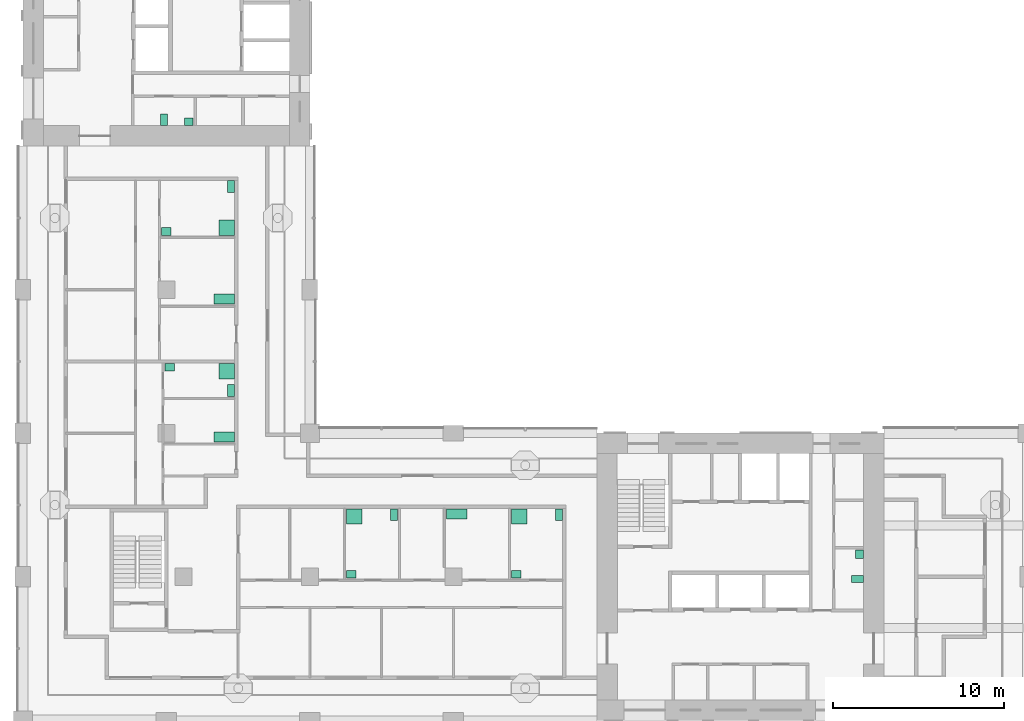
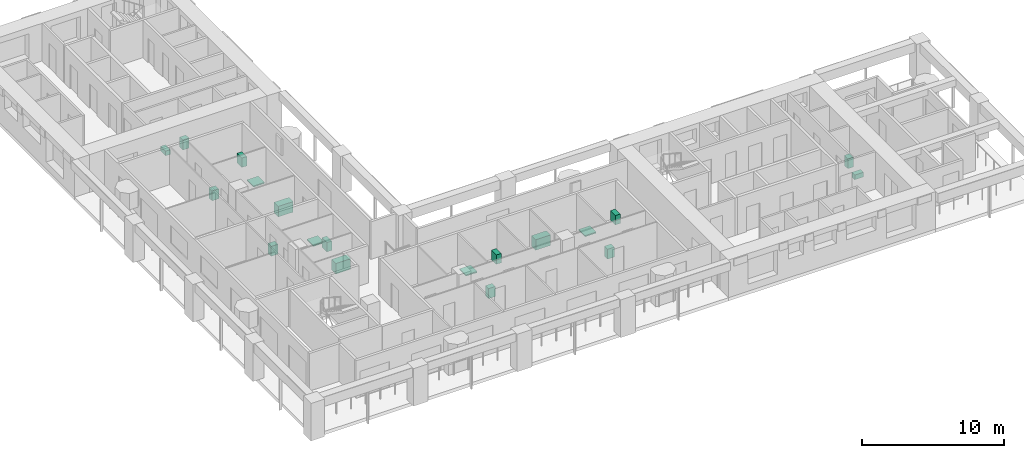
# One storey, part 11 of 13: 19 sanitary terminals.
"""IFC4 building model written with IfcOpenShell, lengths in metres."""

from ifc_helpers import new_model, si_unit, direction, frame, origin, origin_2d, place, context, subcontext, project, spatial, rectangle, extrude, material, element, save


model = new_model("IFC4")

# Units and contexts
model_context = context("Model", 3, precision=1e-05, world=origin(), true_north=direction((0.0, 1.0)))
body_context = subcontext(model_context, "Body", "Model", "MODEL_VIEW")
ifc_project = project(units=[si_unit("LENGTHUNIT", "METRE"), si_unit("AREAUNIT", "SQUARE_METRE"), si_unit("VOLUMEUNIT", "CUBIC_METRE"), si_unit("PLANEANGLEUNIT", "RADIAN"), si_unit("MASSUNIT", "GRAM", prefix="KILO")], contexts=[model_context])

# Site, building, storey
site_placement = place(None, origin())
site = spatial("IfcSite", under=ifc_project, at=site_placement, CompositionType="ELEMENT")
building_placement = place(site_placement, origin())
building = spatial("IfcBuilding", under=site, at=building_placement, Name="Vermilion Gate Residences", CompositionType="ELEMENT")
storey_placement = place(building_placement, frame((0.0, 0.0, 147.699951171875)))
storey = spatial("IfcBuildingStorey", under=building, at=storey_placement, Name="L37", CompositionType="ELEMENT", Elevation=147.699951171875)

# Sanitary terminals
ifc_material_1 = material(Name="Vitreous china")
sanitary_terminal_1_placement = place(storey_placement, frame((57.25, 16.659912109375, 0.0), z_axis=(0.0, 0.0, 1.0), x_axis=(1.0, 0.0, 0.0)))
element("IfcSanitaryTerminal", 1, at=sanitary_terminal_1_placement, inside=storey, material=ifc_material_1, Name="Toilet pan A37", PredefinedType="TOILETPAN", context=body_context, shape_type="SweptSolid", body=[
    extrude(rectangle(XDim=0.699951171875, YDim=0.39990234375, at=origin_2d()), origin(), (0.0, 0.0, 1.0), 0.39990234375),
])
sanitary_terminal_2_placement = place(storey_placement, frame((57.375, 18.1201171875, 0.0), z_axis=(0.0, 0.0, 1.0), x_axis=(1.0, 0.0, 0.0)))
element("IfcSanitaryTerminal", 2, at=sanitary_terminal_2_placement, inside=storey, material=ifc_material_1, Name="Washbasin A37", PredefinedType="WASHHANDBASIN", context=body_context, shape_type="SweptSolid", body=[
    extrude(rectangle(XDim=0.449951171875, YDim=0.5, at=origin_2d()), origin(), (0.0, 0.0, 1.0), 0.85009765625),
])
sanitary_terminal_3_placement = place(storey_placement, frame((16.659912109375, 43.550048828125, 0.0), z_axis=(0.0, 0.0, 1.0), x_axis=(1.0, 0.0, 0.0)))
element("IfcSanitaryTerminal", 3, at=sanitary_terminal_3_placement, inside=storey, material=ifc_material_1, Name="Toilet pan B37", PredefinedType="TOILETPAN", context=body_context, shape_type="SweptSolid", body=[
    extrude(rectangle(XDim=0.39990234375, YDim=0.699951171875, at=origin_2d()), origin(), (0.0, 0.0, 1.0), 0.39990234375),
])
sanitary_terminal_4_placement = place(storey_placement, frame((18.1201171875, 43.425048828125, 0.0), z_axis=(0.0, 0.0, 1.0), x_axis=(1.0, 0.0, 0.0)))
element("IfcSanitaryTerminal", 4, at=sanitary_terminal_4_placement, inside=storey, material=ifc_material_1, Name="Washbasin B37", PredefinedType="WASHHANDBASIN", context=body_context, shape_type="SweptSolid", body=[
    extrude(rectangle(XDim=0.5, YDim=0.449951171875, at=origin_2d()), origin(), (0.0, 0.0, 1.0), 0.85009765625),
])
sanitary_terminal_5_placement = place(storey_placement, frame((27.802978515625, 20.330078125, 0.0), z_axis=(0.0, 0.0, 1.0), x_axis=(1.0, 0.0, 0.0)))
element("IfcSanitaryTerminal", 5, at=sanitary_terminal_5_placement, inside=storey, material=ifc_material_1, Name="Shower tray", PredefinedType="SHOWER", context=body_context, shape_type="SweptSolid", body=[
    extrude(rectangle(XDim=0.89990234375, YDim=0.89990234375, at=origin_2d()), origin(), (0.0, 0.0, 1.0), 0.10009765625),
])
sanitary_terminal_6_placement = place(storey_placement, frame((30.1298828125, 20.429931640625, 0.0), z_axis=(0.0, 0.0, 1.0), x_axis=(1.0, 0.0, 0.0)))
element("IfcSanitaryTerminal", 6, at=sanitary_terminal_6_placement, inside=storey, material=ifc_material_1, Name="Toilet", PredefinedType="TOILETPAN", context=body_context, shape_type="SweptSolid", body=[
    extrude(rectangle(XDim=0.39990234375, YDim=0.699951171875, at=origin_2d()), origin(), (0.0, 0.0, 1.0), 0.800048828125),
])
sanitary_terminal_7_placement = place(storey_placement, frame((27.6279296875, 16.945068359375, 0.0), z_axis=(0.0, 0.0, 1.0), x_axis=(1.0, 0.0, 0.0)))
element("IfcSanitaryTerminal", 7, at=sanitary_terminal_7_placement, inside=storey, material=ifc_material_1, Name="Wash basin", PredefinedType="WASHHANDBASIN", context=body_context, shape_type="SweptSolid", body=[
    extrude(rectangle(XDim=0.550048828125, YDim=0.449951171875, at=origin_2d()), origin(), (0.0, 0.0, 1.0), 0.85009765625),
])
ifc_material_2 = material(Name="Stainless steel", Category="steel")
sanitary_terminal_8_placement = place(storey_placement, frame((33.787109375, 20.47998046875, 0.0), z_axis=(0.0, 0.0, 1.0), x_axis=(1.0, 0.0, 0.0)))
element("IfcSanitaryTerminal", 8, at=sanitary_terminal_8_placement, inside=storey, material=ifc_material_2, Name="Kitchen sink", PredefinedType="SINK", context=body_context, shape_type="SweptSolid", body=[
    extrude(rectangle(XDim=1.199951171875, YDim=0.60009765625, at=origin_2d()), origin(), (0.0, 0.0, 1.0), 0.89990234375),
])
sanitary_terminal_9_placement = place(storey_placement, frame((37.4541015625, 20.330078125, 0.0), z_axis=(0.0, 0.0, 1.0), x_axis=(1.0, 0.0, 0.0)))
element("IfcSanitaryTerminal", 9, at=sanitary_terminal_9_placement, inside=storey, material=ifc_material_1, Name="Shower tray", PredefinedType="SHOWER", context=body_context, shape_type="SweptSolid", body=[
    extrude(rectangle(XDim=0.89990234375, YDim=0.89990234375, at=origin_2d()), origin(), (0.0, 0.0, 1.0), 0.10009765625),
])
sanitary_terminal_10_placement = place(storey_placement, frame((39.780029296875, 20.429931640625, 0.0), z_axis=(0.0, 0.0, 1.0), x_axis=(1.0, 0.0, 0.0)))
element("IfcSanitaryTerminal", 10, at=sanitary_terminal_10_placement, inside=storey, material=ifc_material_1, Name="Toilet", PredefinedType="TOILETPAN", context=body_context, shape_type="SweptSolid", body=[
    extrude(rectangle(XDim=0.39990234375, YDim=0.699951171875, at=origin_2d()), origin(), (0.0, 0.0, 1.0), 0.800048828125),
])
sanitary_terminal_11_placement = place(storey_placement, frame((37.279052734375, 16.945068359375, 0.0), z_axis=(0.0, 0.0, 1.0), x_axis=(1.0, 0.0, 0.0)))
element("IfcSanitaryTerminal", 11, at=sanitary_terminal_11_placement, inside=storey, material=ifc_material_1, Name="Wash basin", PredefinedType="WASHHANDBASIN", context=body_context, shape_type="SweptSolid", body=[
    extrude(rectangle(XDim=0.550048828125, YDim=0.449951171875, at=origin_2d()), origin(), (0.0, 0.0, 1.0), 0.85009765625),
])
sanitary_terminal_12_placement = place(storey_placement, frame((20.179931640625, 24.98291015625, 0.0), z_axis=(0.0, 0.0, 1.0), x_axis=(1.0, 0.0, 0.0)))
element("IfcSanitaryTerminal", 12, at=sanitary_terminal_12_placement, inside=storey, material=ifc_material_2, Name="Kitchen sink", PredefinedType="SINK", context=body_context, shape_type="SweptSolid", body=[
    extrude(rectangle(XDim=1.199951171875, YDim=0.60009765625, at=origin_2d()), origin(), (0.0, 0.0, 1.0), 0.89990234375),
])
sanitary_terminal_13_placement = place(storey_placement, frame((20.330078125, 28.830078125, 0.0), z_axis=(0.0, 0.0, 1.0), x_axis=(1.0, 0.0, 0.0)))
element("IfcSanitaryTerminal", 13, at=sanitary_terminal_13_placement, inside=storey, material=ifc_material_1, Name="Shower tray", PredefinedType="SHOWER", context=body_context, shape_type="SweptSolid", body=[
    extrude(rectangle(XDim=0.89990234375, YDim=0.89990234375, at=origin_2d()), origin(), (0.0, 0.0, 1.0), 0.10009765625),
])
sanitary_terminal_14_placement = place(storey_placement, frame((20.580078125, 27.695068359375, 0.0), z_axis=(0.0, 0.0, 1.0), x_axis=(1.0, 0.0, 0.0)))
element("IfcSanitaryTerminal", 14, at=sanitary_terminal_14_placement, inside=storey, material=ifc_material_1, Name="Toilet", PredefinedType="TOILETPAN", context=body_context, shape_type="SweptSolid", body=[
    extrude(rectangle(XDim=0.39990234375, YDim=0.699951171875, at=origin_2d()), origin(), (0.0, 0.0, 1.0), 0.800048828125),
])
sanitary_terminal_15_placement = place(storey_placement, frame((16.9951171875, 29.054931640625, 0.0), z_axis=(0.0, 0.0, 1.0), x_axis=(1.0, 0.0, 0.0)))
element("IfcSanitaryTerminal", 15, at=sanitary_terminal_15_placement, inside=storey, material=ifc_material_1, Name="Wash basin", PredefinedType="WASHHANDBASIN", context=body_context, shape_type="SweptSolid", body=[
    extrude(rectangle(XDim=0.550048828125, YDim=0.449951171875, at=origin_2d()), origin(), (0.0, 0.0, 1.0), 0.85009765625),
])
sanitary_terminal_16_placement = place(storey_placement, frame((20.179931640625, 33.052978515625, 0.0), z_axis=(0.0, 0.0, 1.0), x_axis=(1.0, 0.0, 0.0)))
element("IfcSanitaryTerminal", 16, at=sanitary_terminal_16_placement, inside=storey, material=ifc_material_2, Name="Kitchen sink", PredefinedType="SINK", context=body_context, shape_type="SweptSolid", body=[
    extrude(rectangle(XDim=1.199951171875, YDim=0.60009765625, at=origin_2d()), origin(), (0.0, 0.0, 1.0), 0.89990234375),
])
sanitary_terminal_17_placement = place(storey_placement, frame((20.330078125, 37.237060546875, 0.0), z_axis=(0.0, 0.0, 1.0), x_axis=(1.0, 0.0, 0.0)))
element("IfcSanitaryTerminal", 17, at=sanitary_terminal_17_placement, inside=storey, material=ifc_material_1, Name="Shower tray", PredefinedType="SHOWER", context=body_context, shape_type="SweptSolid", body=[
    extrude(rectangle(XDim=0.89990234375, YDim=0.89990234375, at=origin_2d()), origin(), (0.0, 0.0, 1.0), 0.10009765625),
])
sanitary_terminal_18_placement = place(storey_placement, frame((20.580078125, 39.6298828125, 0.0), z_axis=(0.0, 0.0, 1.0), x_axis=(1.0, 0.0, 0.0)))
element("IfcSanitaryTerminal", 18, at=sanitary_terminal_18_placement, inside=storey, material=ifc_material_1, Name="Toilet", PredefinedType="TOILETPAN", context=body_context, shape_type="SweptSolid", body=[
    extrude(rectangle(XDim=0.39990234375, YDim=0.699951171875, at=origin_2d()), origin(), (0.0, 0.0, 1.0), 0.800048828125),
])
sanitary_terminal_19_placement = place(storey_placement, frame((16.794921875, 37.011962890625, 0.0), z_axis=(0.0, 0.0, 1.0), x_axis=(1.0, 0.0, 0.0)))
element("IfcSanitaryTerminal", 19, at=sanitary_terminal_19_placement, inside=storey, material=ifc_material_1, Name="Wash basin", PredefinedType="WASHHANDBASIN", context=body_context, shape_type="SweptSolid", body=[
    extrude(rectangle(XDim=0.550048828125, YDim=0.449951171875, at=origin_2d()), origin(), (0.0, 0.0, 1.0), 0.85009765625),
])

save(model, "model.ifc")
